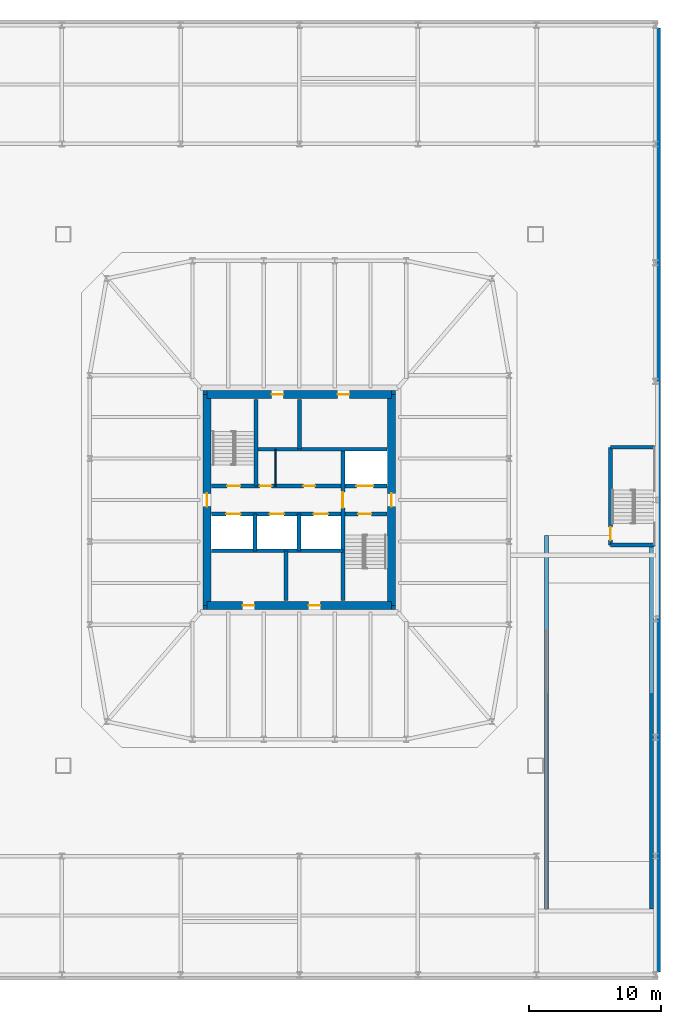
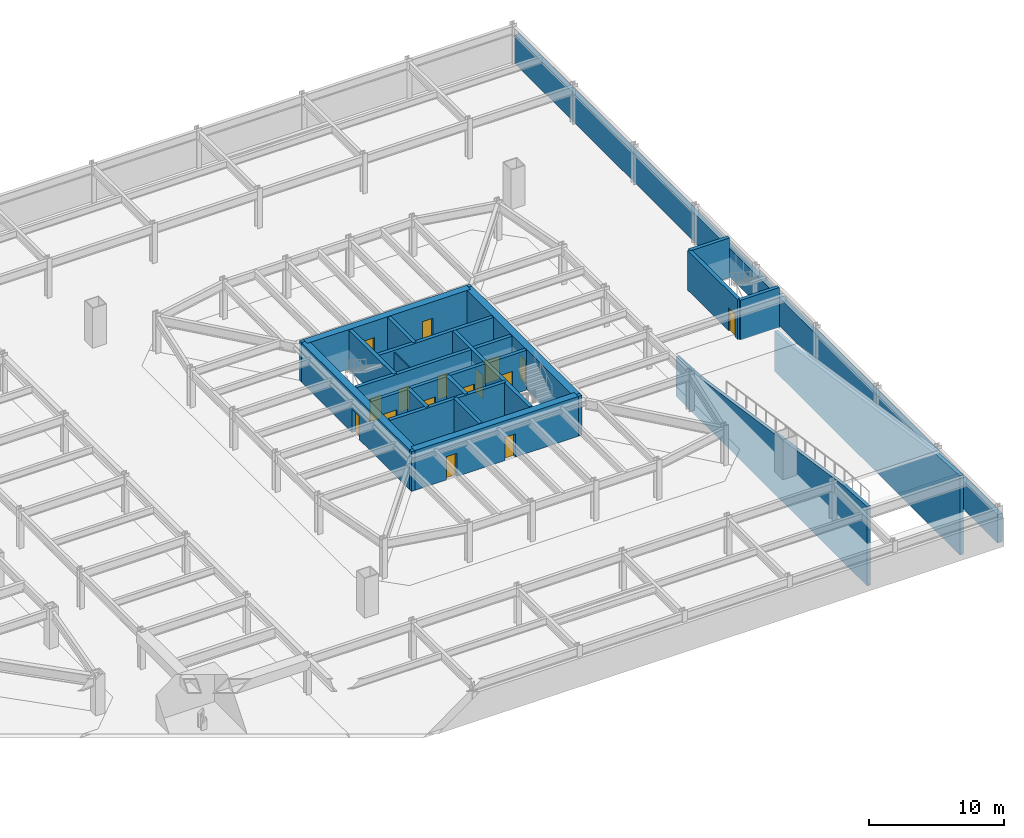
# One storey, part 13 of 17: 25 walls, 16 doors, 16 openings.
"""IFC4 building model written with IfcOpenShell, lengths in metres."""

from ifc_helpers import new_model, si_unit, direction, frame, frame_2d, origin, place, context, subcontext, project, spatial, polyline, rectangle, outline, extrude, material, layer, layer_set, type_object, element, fill, save


model = new_model("IFC4")

# Units and contexts
model_context = context("Model", 3, precision=1e-05, world=origin(), true_north=direction((0.0, 1.0)))
body_context = subcontext(model_context, "Body", "Model", "MODEL_VIEW")
ifc_project = project(units=[si_unit("LENGTHUNIT", "METRE"), si_unit("AREAUNIT", "SQUARE_METRE"), si_unit("VOLUMEUNIT", "CUBIC_METRE"), si_unit("PLANEANGLEUNIT", "RADIAN"), si_unit("MASSUNIT", "GRAM", prefix="KILO")], contexts=[model_context])

# Site, building, storey
site_placement = place(None, origin())
site = spatial("IfcSite", under=ifc_project, at=site_placement, CompositionType="ELEMENT")
building_placement = place(site_placement, origin())
building = spatial("IfcBuilding", under=site, at=building_placement, Name="Iwan Alto Co-Living Towers", CompositionType="ELEMENT")
storey_placement = place(building_placement, frame((0.0, 0.0, -3.60009765625)))
storey = spatial("IfcBuildingStorey", under=building, at=storey_placement, Name="B1", CompositionType="ELEMENT", Elevation=-3.60009765625)

# Walls
ifc_material_1 = material(Name="Concrete f'c 70 MPa", Category="concrete")
ifc_layer_1 = layer(ifc_material_1, 0.39990234375)
ifc_layer_set_1 = layer_set([ifc_layer_1], Name="BASEMENT RETAINING WALL 400")
wall_type_1 = type_object("IfcWallType", Name="BASEMENT RETAINING WALL 400", PredefinedType="SOLIDWALL", material=ifc_layer_set_1)
wall_1_placement = place(storey_placement, frame((90.199951171875, -35.800048828125, 0.0), z_axis=(0.0, 0.0, 1.0), x_axis=(0.0, 1.0, 0.0)))
element("IfcWall", 1, at=wall_1_placement, inside=storey, type_object=wall_type_1, Name="Basement retaining wall E B1", PredefinedType="SOLIDWALL", context=body_context, shape_type="SweptSolid", body=[
    extrude(rectangle(XDim=71.60009765625, YDim=0.39990234375, at=frame_2d((35.800048828125, 0.0))), origin(), (0.0, 0.0, 1.0), 2.58056640625),
])
ifc_material_2 = material(Name="Gypsum board")
ifc_layer_2 = layer(ifc_material_2, 0.012451171875, Name="Board", Category="Finish")
ifc_material_3 = material(Name="Steel ASTM A1003 ST33H cold-formed studs", Category="steel")
ifc_layer_3 = layer(ifc_material_3, 0.074951171875, Name="Studs", Category="Framing")
ifc_layer_4 = layer(ifc_material_2, 0.012451171875, Name="Board", Category="Finish")
ifc_layer_set_2 = layer_set([ifc_layer_2, ifc_layer_3, ifc_layer_4], Name="PARTITION 100")
wall_type_2 = type_object("IfcWallType", Name="PARTITION 100", PredefinedType="PARTITIONING", material=ifc_layer_set_2)
wall_2_placement = place(storey_placement, frame((61.199951171875, 1.050048828125, 0.0), z_axis=(0.0, 0.0, 1.0), x_axis=(0.0, 1.0, 0.0)))
element("IfcWall", 2, at=wall_2_placement, inside=storey, type_object=wall_type_2, Name="Partition B1", PredefinedType="PARTITIONING", context=body_context, shape_type="SweptSolid", body=[
    extrude(rectangle(XDim=2.800048828125, YDim=0.10009765625, at=frame_2d((1.39990234375, 0.0))), origin(), (0.0, 0.0, 1.0), 3.400146484375),
])
ifc_material_4 = material(Name="Concrete f'c 70 MPa", Category="concrete")
ifc_layer_5 = layer(ifc_material_4, 0.300048828125)
ifc_layer_set_3 = layer_set([ifc_layer_5], Name="RAMP SIDE WALL 300")
wall_type_3 = type_object("IfcWallType", Name="RAMP SIDE WALL 300", PredefinedType="SOLIDWALL", material=ifc_layer_set_3)
wall_3_placement = place(storey_placement, frame((81.75, -31.0, -3.849853515625), z_axis=(0.0, 0.0, 1.0), x_axis=(0.0, 1.0, 0.0)))
element("IfcWall", 3, at=wall_3_placement, inside=storey, type_object=wall_type_3, Name="Ramps R1 and R2 side wall", PredefinedType="SOLIDWALL", context=body_context, shape_type="SweptSolid", body=[
    extrude(outline(polyline([(0.0, 0.0), (28.320068359375, 0.0), (28.320068359375, 3.579833984375), (24.719970703125, 3.7958984375), (3.60009765625, 6.9638671875), (0.0, 7.179931640625), (0.0, 0.0)])), frame((0.0, 0.14990234375, 0.0), z_axis=(0.0, -1.0, 0.0), x_axis=(1.0, 0.0, 0.0)), (0.0, 0.0, 1.0), 0.300048828125),
])
wall_4_placement = place(storey_placement, frame((89.69677734375, -31.0, -3.849853515625), z_axis=(0.0, 0.0, 1.0), x_axis=(0.0, 1.0, 0.0)))
element("IfcWall", 4, at=wall_4_placement, inside=storey, type_object=wall_type_3, Name="Ramps R1 and R2 east side wall", PredefinedType="SOLIDWALL", context=body_context, shape_type="SweptSolid", body=[
    extrude(outline(polyline([(0.0, 0.0), (27.5, 0.0), (27.5, 3.629150390625), (24.719970703125, 3.7958984375), (3.60009765625, 6.9638671875), (0.0, 7.179931640625), (0.0, 0.0)])), frame((0.0, 0.14990234375, 0.0), z_axis=(0.0, -1.0, 0.0), x_axis=(1.0, 0.0, 0.0)), (0.0, 0.0, 1.0), 0.300048828125),
])
ifc_material_5 = material(Name="Concrete f'c 70 MPa", Category="concrete")
ifc_layer_6 = layer(ifc_material_5, 0.300048828125)
ifc_layer_set_4 = layer_set([ifc_layer_6], Name="SHAFT WALL 300")
wall_type_4 = type_object("IfcWallType", Name="SHAFT WALL 300", PredefinedType="SOLIDWALL", material=ifc_layer_set_4)
wall_5_placement = place(storey_placement, frame((56.360107421875, -3.85009765625, 0.0), z_axis=(0.0, 0.0, 1.0), x_axis=(1.0, 0.0, 0.0)))
element("IfcWall", 5, at=wall_5_placement, inside=storey, type_object=wall_type_4, Name="Shaft wall B1", PredefinedType="SOLIDWALL", context=body_context, shape_type="SweptSolid", body=[
    extrude(rectangle(XDim=9.93994140625, YDim=0.300048828125, at=frame_2d((4.969970703125, 0.0))), origin(), (0.0, 0.0, 1.0), 3.60009765625),
])
wall_6_placement = place(storey_placement, frame((86.60009765625, -3.39990234375, 0.0), z_axis=(0.0, 0.0, 1.0), x_axis=(1.0, 0.0, 0.0)))
element("IfcWall", 6, at=wall_6_placement, inside=storey, type_object=wall_type_4, Name="Shaft wall B1", PredefinedType="SOLIDWALL", context=body_context, shape_type="SweptSolid", body=[
    extrude(rectangle(XDim=3.33984375, YDim=0.300048828125, at=frame_2d((1.669921875, 0.0))), origin(), (0.0, 0.0, 1.0), 3.60009765625),
])

# Wall, openings, doors
wall_7_placement = place(storey_placement, frame((56.360107421875, -1.050048828125, 0.0), z_axis=(0.0, 0.0, 1.0), x_axis=(1.0, 0.0, 0.0)))
wall_7 = element("IfcWall", 7, at=wall_7_placement, inside=storey, type_object=wall_type_4, Name="Shaft wall B1", PredefinedType="SOLIDWALL", context=body_context, shape_type="SweptSolid", body=[
    extrude(rectangle(XDim=13.27978515625, YDim=0.300048828125, at=frame_2d((6.639892578125, 0.0))), origin(), (0.0, 0.0, 1.0), 3.60009765625),
])
opening_1_placement = place(wall_7_placement, frame((11.110107421875, 0.0, 0.0)))
opening_1 = element("IfcOpeningElement", 8, at=opening_1_placement, cuts=wall_7, Name="Opening D5", PredefinedType="OPENING", context=body_context, shape_type="SweptSolid", body=[
    extrude(rectangle(XDim=1.0, YDim=2.10009765625, at=frame_2d((0.5, 1.050048828125))), frame((0.0, 0.159912109375, 0.0), z_axis=(0.0, -1.0, 0.0), x_axis=(1.0, 0.0, 0.0)), (0.0, 0.0, 1.0), 0.320068359375),
])
opening_2_placement = place(wall_7_placement, frame((1.0869140625, 0.0, 0.0)))
opening_2 = element("IfcOpeningElement", 9, at=opening_2_placement, cuts=wall_7, Name="Opening LD", PredefinedType="OPENING", context=body_context, shape_type="SweptSolid", body=[
    extrude(rectangle(XDim=1.10009765625, YDim=2.10009765625, at=frame_2d((0.550048828125, 1.050048828125))), frame((0.0, 0.159912109375, 0.0), z_axis=(0.0, -1.0, 0.0), x_axis=(1.0, 0.0, 0.0)), (0.0, 0.0, 1.0), 0.320068359375),
])
opening_3_placement = place(wall_7_placement, frame((4.389892578125, 0.0, 0.0)))
opening_3 = element("IfcOpeningElement", 10, at=opening_3_placement, cuts=wall_7, Name="Opening LD", PredefinedType="OPENING", context=body_context, shape_type="SweptSolid", body=[
    extrude(rectangle(XDim=1.10009765625, YDim=2.10009765625, at=frame_2d((0.550048828125, 1.050048828125))), frame((0.0, 0.159912109375, 0.0), z_axis=(0.0, -1.0, 0.0), x_axis=(1.0, 0.0, 0.0)), (0.0, 0.0, 1.0), 0.320068359375),
])
opening_4_placement = place(wall_7_placement, frame((7.72412109375, 0.0, 0.0)))
opening_4 = element("IfcOpeningElement", 11, at=opening_4_placement, cuts=wall_7, Name="Opening LD", PredefinedType="OPENING", context=body_context, shape_type="SweptSolid", body=[
    extrude(rectangle(XDim=1.10009765625, YDim=2.10009765625, at=frame_2d((0.550048828125, 1.050048828125))), frame((0.0, 0.159912109375, 0.0), z_axis=(0.0, -1.0, 0.0), x_axis=(1.0, 0.0, 0.0)), (0.0, 0.0, 1.0), 0.320068359375),
])
ifc_material_6 = material(Name="Steel frame with timber leaf", Category="steel")
door_type_1 = type_object("IfcDoorType", Name="LIFT LANDING DOOR 1100X2100", OperationType="DOUBLE_DOOR_SLIDING", PredefinedType="DOOR", material=ifc_material_6)
door_1_placement = place(opening_2_placement, origin())
door_1 = element("IfcDoor", 12, at=door_1_placement, inside=storey, type_object=door_type_1, Name="Lift P5-1 landing door B1", OperationType="DOUBLE_DOOR_SLIDING", OverallHeight=2.10009765625, OverallWidth=1.10009765625, PredefinedType="DOOR", context=body_context, shape_type="SweptSolid", body=[
    extrude(rectangle(XDim=1.10009765625, YDim=2.10009765625, at=frame_2d((0.550048828125, 1.050048828125))), frame((0.0, 0.02490234375, 0.0), z_axis=(0.0, -1.0, 0.0), x_axis=(1.0, 0.0, 0.0)), (0.0, 0.0, 1.0), 0.050048828125),
])
fill(opening_2, door_1)
door_2_placement = place(opening_3_placement, origin())
door_2 = element("IfcDoor", 13, at=door_2_placement, inside=storey, type_object=door_type_1, Name="Lift P5-2 landing door B1", OperationType="DOUBLE_DOOR_SLIDING", OverallHeight=2.10009765625, OverallWidth=1.10009765625, PredefinedType="DOOR", context=body_context, shape_type="SweptSolid", body=[
    extrude(rectangle(XDim=1.10009765625, YDim=2.10009765625, at=frame_2d((0.550048828125, 1.050048828125))), frame((0.0, 0.02490234375, 0.0), z_axis=(0.0, -1.0, 0.0), x_axis=(1.0, 0.0, 0.0)), (0.0, 0.0, 1.0), 0.050048828125),
])
fill(opening_3, door_2)
door_3_placement = place(opening_4_placement, origin())
door_3 = element("IfcDoor", 14, at=door_3_placement, inside=storey, type_object=door_type_1, Name="Lift P6-3 landing door B1", OperationType="DOUBLE_DOOR_SLIDING", OverallHeight=2.10009765625, OverallWidth=1.10009765625, PredefinedType="DOOR", context=body_context, shape_type="SweptSolid", body=[
    extrude(rectangle(XDim=1.10009765625, YDim=2.10009765625, at=frame_2d((0.550048828125, 1.050048828125))), frame((0.0, 0.02490234375, 0.0), z_axis=(0.0, -1.0, 0.0), x_axis=(1.0, 0.0, 0.0)), (0.0, 0.0, 1.0), 0.050048828125),
])
fill(opening_4, door_3)
ifc_material_7 = material(Name="Steel frame with timber leaf", Category="steel")
door_type_2 = type_object("IfcDoorType", Name="STAIR DOOR FD120S 1000X2100", OperationType="SINGLE_SWING_LEFT", PredefinedType="DOOR", material=ifc_material_7)
door_4_placement = place(opening_1_placement, frame((1.0, 0.0, 0.0), z_axis=(0.0, 0.0, 1.0), x_axis=(-1.0, 0.0, 0.0)))
door_4 = element("IfcDoor", 15, at=door_4_placement, inside=storey, type_object=door_type_2, Name="Stair S2 door B1", OperationType="SINGLE_SWING_RIGHT", OverallHeight=2.10009765625, OverallWidth=1.0, PredefinedType="DOOR", context=body_context, shape_type="SweptSolid", body=[
    extrude(rectangle(XDim=1.0, YDim=2.10009765625, at=frame_2d((0.5, 1.050048828125))), frame((0.0, 0.02490234375, 0.0), z_axis=(0.0, -1.0, 0.0), x_axis=(1.0, 0.0, 0.0)), (0.0, 0.0, 1.0), 0.050048828125),
])
fill(opening_1, door_4)

wall_8_placement = place(storey_placement, frame((56.360107421875, 1.050048828125, 0.0), z_axis=(0.0, 0.0, 1.0), x_axis=(1.0, 0.0, 0.0)))
wall_8 = element("IfcWall", 16, at=wall_8_placement, inside=storey, type_object=wall_type_4, Name="Shaft wall B1", PredefinedType="SOLIDWALL", context=body_context, shape_type="SweptSolid", body=[
    extrude(rectangle(XDim=13.27978515625, YDim=0.300048828125, at=frame_2d((6.639892578125, 0.0))), origin(), (0.0, 0.0, 1.0), 3.60009765625),
])
opening_5_placement = place(wall_8_placement, frame((1.169921875, 0.0, 0.0)))
opening_5 = element("IfcOpeningElement", 17, at=opening_5_placement, cuts=wall_8, Name="Opening D5", PredefinedType="OPENING", context=body_context, shape_type="SweptSolid", body=[
    extrude(rectangle(XDim=1.0, YDim=2.10009765625, at=frame_2d((0.5, 1.050048828125))), frame((0.0, 0.159912109375, 0.0), z_axis=(0.0, -1.0, 0.0), x_axis=(1.0, 0.0, 0.0)), (0.0, 0.0, 1.0), 0.320068359375),
])
opening_6_placement = place(wall_8_placement, frame((6.93994140625, 0.0, 0.0)))
opening_6 = element("IfcOpeningElement", 18, at=opening_6_placement, cuts=wall_8, Name="Opening D8", PredefinedType="OPENING", context=body_context, shape_type="SweptSolid", body=[
    extrude(rectangle(XDim=0.89990234375, YDim=2.10009765625, at=frame_2d((0.449951171875, 1.050048828125))), frame((0.0, 0.159912109375, 0.0), z_axis=(0.0, -1.0, 0.0), x_axis=(1.0, 0.0, 0.0)), (0.0, 0.0, 1.0), 0.320068359375),
])
opening_7_placement = place(wall_8_placement, frame((3.639892578125, 0.0, 0.0)))
opening_7 = element("IfcOpeningElement", 19, at=opening_7_placement, cuts=wall_8, Name="Opening D15", PredefinedType="OPENING", context=body_context, shape_type="SweptSolid", body=[
    extrude(rectangle(XDim=0.89990234375, YDim=2.10009765625, at=frame_2d((0.449951171875, 1.050048828125))), frame((0.0, 0.159912109375, 0.0), z_axis=(0.0, -1.0, 0.0), x_axis=(1.0, 0.0, 0.0)), (0.0, 0.0, 1.0), 0.320068359375),
])
opening_8_placement = place(wall_8_placement, frame((10.9599609375, 0.0, 0.0)))
opening_8 = element("IfcOpeningElement", 20, at=opening_8_placement, cuts=wall_8, Name="Opening LD2", PredefinedType="OPENING", context=body_context, shape_type="SweptSolid", body=[
    extrude(rectangle(XDim=1.300048828125, YDim=2.10009765625, at=frame_2d((0.64990234375, 1.050048828125))), frame((0.0, 0.159912109375, 0.0), z_axis=(0.0, -1.0, 0.0), x_axis=(1.0, 0.0, 0.0)), (0.0, 0.0, 1.0), 0.320068359375),
])
ifc_material_8 = material(Name="Steel frame with timber leaf", Category="steel")
door_type_3 = type_object("IfcDoorType", Name="CORE ROOM DOOR FD60S 900X2100", OperationType="SINGLE_SWING_LEFT", PredefinedType="DOOR", material=ifc_material_8)
door_5_placement = place(opening_7_placement, origin())
door_5 = element("IfcDoor", 21, at=door_5_placement, inside=storey, type_object=door_type_3, Name="Car park sprinkler valve room door B1", OperationType="SINGLE_SWING_LEFT", OverallHeight=2.10009765625, OverallWidth=0.89990234375, PredefinedType="DOOR", context=body_context, shape_type="SweptSolid", body=[
    extrude(rectangle(XDim=0.89990234375, YDim=2.10009765625, at=frame_2d((0.449951171875, 1.050048828125))), frame((0.0, 0.02490234375, 0.0), z_axis=(0.0, -1.0, 0.0), x_axis=(1.0, 0.0, 0.0)), (0.0, 0.0, 1.0), 0.050048828125),
])
fill(opening_7, door_5)
ifc_material_9 = material(Name="Steel frame with timber leaf", Category="steel")
door_type_4 = type_object("IfcDoorType", Name="LIFT LANDING DOOR 1300X2100", OperationType="SLIDING_TO_LEFT", PredefinedType="DOOR", material=ifc_material_9)
door_6_placement = place(opening_8_placement, origin())
door_6 = element("IfcDoor", 22, at=door_6_placement, inside=storey, type_object=door_type_4, Name="Lift FL2 landing door B1", OperationType="SLIDING_TO_LEFT", OverallHeight=2.10009765625, OverallWidth=1.300048828125, PredefinedType="DOOR", context=body_context, shape_type="SweptSolid", body=[
    extrude(rectangle(XDim=1.300048828125, YDim=2.10009765625, at=frame_2d((0.64990234375, 1.050048828125))), frame((0.0, 0.02490234375, 0.0), z_axis=(0.0, -1.0, 0.0), x_axis=(1.0, 0.0, 0.0)), (0.0, 0.0, 1.0), 0.050048828125),
])
fill(opening_8, door_6)
ifc_material_10 = material(Name="Steel frame with timber leaf", Category="steel")
door_type_5 = type_object("IfcDoorType", Name="RISER DOOR FD120 900X2100", OperationType="SINGLE_SWING_LEFT", PredefinedType="DOOR", material=ifc_material_10)
door_7_placement = place(opening_6_placement, origin())
door_7 = element("IfcDoor", 23, at=door_7_placement, inside=storey, type_object=door_type_5, Name="Riser room door B1", OperationType="SINGLE_SWING_LEFT", OverallHeight=2.10009765625, OverallWidth=0.89990234375, PredefinedType="DOOR", context=body_context, shape_type="SweptSolid", body=[
    extrude(rectangle(XDim=0.89990234375, YDim=2.10009765625, at=frame_2d((0.449951171875, 1.050048828125))), frame((0.0, 0.02490234375, 0.0), z_axis=(0.0, -1.0, 0.0), x_axis=(1.0, 0.0, 0.0)), (0.0, 0.0, 1.0), 0.050048828125),
])
fill(opening_6, door_7)
door_8_placement = place(opening_5_placement, origin())
door_8 = element("IfcDoor", 24, at=door_8_placement, inside=storey, type_object=door_type_2, Name="Stair S1 door B1", OperationType="SINGLE_SWING_RIGHT", OverallHeight=2.10009765625, OverallWidth=1.0, PredefinedType="DOOR", context=body_context, shape_type="SweptSolid", body=[
    extrude(rectangle(XDim=1.0, YDim=2.10009765625, at=frame_2d((0.5, 1.050048828125))), frame((0.0, 0.02490234375, 0.0), z_axis=(0.0, -1.0, 0.0), x_axis=(1.0, 0.0, 0.0)), (0.0, 0.0, 1.0), 0.050048828125),
])
fill(opening_5, door_8)

# Walls
wall_9_placement = place(storey_placement, frame((59.699951171875, 3.85009765625, 0.0), z_axis=(0.0, 0.0, 1.0), x_axis=(1.0, 0.0, 0.0)))
element("IfcWall", 25, at=wall_9_placement, inside=storey, type_object=wall_type_4, Name="Shaft wall B1", PredefinedType="SOLIDWALL", context=body_context, shape_type="SweptSolid", body=[
    extrude(rectangle(XDim=9.93994140625, YDim=0.300048828125, at=frame_2d((4.969970703125, 0.0))), origin(), (0.0, 0.0, 1.0), 3.60009765625),
])
wall_10_placement = place(storey_placement, frame((86.60009765625, 4.0, 0.0), z_axis=(0.0, 0.0, 1.0), x_axis=(1.0, 0.0, 0.0)))
element("IfcWall", 26, at=wall_10_placement, inside=storey, type_object=wall_type_4, Name="Shaft wall B1", PredefinedType="SOLIDWALL", context=body_context, shape_type="SweptSolid", body=[
    extrude(rectangle(XDim=3.33984375, YDim=0.300048828125, at=frame_2d((1.669921875, 0.0))), origin(), (0.0, 0.0, 1.0), 3.60009765625),
])

# Wall, opening, door
wall_11_placement = place(storey_placement, frame((86.60009765625, -3.39990234375, 0.0), z_axis=(0.0, 0.0, 1.0), x_axis=(0.0, 1.0, 0.0)))
wall_11 = element("IfcWall", 27, at=wall_11_placement, inside=storey, type_object=wall_type_4, Name="Shaft wall B1", PredefinedType="SOLIDWALL", context=body_context, shape_type="SweptSolid", body=[
    extrude(rectangle(XDim=7.39990234375, YDim=0.300048828125, at=frame_2d((3.699951171875, 0.0))), origin(), (0.0, 0.0, 1.0), 3.60009765625),
])
opening_9_placement = place(wall_11_placement, frame((0.35009765625, 0.0, 0.0)))
opening_9 = element("IfcOpeningElement", 28, at=opening_9_placement, cuts=wall_11, Name="Opening D5", PredefinedType="OPENING", context=body_context, shape_type="SweptSolid", body=[
    extrude(rectangle(XDim=1.0, YDim=2.10009765625, at=frame_2d((0.5, 1.050048828125))), frame((0.0, 0.159912109375, 0.0), z_axis=(0.0, -1.0, 0.0), x_axis=(1.0, 0.0, 0.0)), (0.0, 0.0, 1.0), 0.320068359375),
])
door_9_placement = place(opening_9_placement, frame((1.0, 0.0, 0.0), z_axis=(0.0, 0.0, 1.0), x_axis=(-1.0, 0.0, 0.0)))
door_9 = element("IfcDoor", 29, at=door_9_placement, inside=storey, type_object=door_type_2, Name="Stair PS2 door B1", OperationType="SINGLE_SWING_RIGHT", OverallHeight=2.10009765625, OverallWidth=1.0, PredefinedType="DOOR", context=body_context, shape_type="SweptSolid", body=[
    extrude(rectangle(XDim=1.0, YDim=2.10009765625, at=frame_2d((0.5, 1.050048828125))), frame((0.0, 0.02490234375, 0.0), z_axis=(0.0, -1.0, 0.0), x_axis=(1.0, 0.0, 0.0)), (0.0, 0.0, 1.0), 0.050048828125),
])
fill(opening_9, door_9)

wall_12_placement = place(storey_placement, frame((66.300048828125, -7.639892578125, 0.0), z_axis=(0.0, 0.0, 1.0), x_axis=(0.0, 1.0, 0.0)))
wall_12 = element("IfcWall", 30, at=wall_12_placement, inside=storey, type_object=wall_type_4, Name="Shaft wall B1", PredefinedType="SOLIDWALL", context=body_context, shape_type="SweptSolid", body=[
    extrude(rectangle(XDim=11.489990234375, YDim=0.300048828125, at=frame_2d((5.7451171875, 0.0))), origin(), (0.0, 0.0, 1.0), 3.60009765625),
])
opening_10_placement = place(wall_12_placement, frame((7.0400390625, 0.0, 0.0)))
opening_10 = element("IfcOpeningElement", 31, at=opening_10_placement, cuts=wall_12, Name="Opening D6", PredefinedType="OPENING", context=body_context, shape_type="SweptSolid", body=[
    extrude(rectangle(XDim=1.199951171875, YDim=2.10009765625, at=frame_2d((0.60009765625, 1.050048828125))), frame((0.0, 0.159912109375, 0.0), z_axis=(0.0, -1.0, 0.0), x_axis=(1.0, 0.0, 0.0)), (0.0, 0.0, 1.0), 0.320068359375),
])
ifc_material_11 = material(Name="Steel frame with timber leaf", Category="steel")
door_type_6 = type_object("IfcDoorType", Name="LOBBY DOOR FD120S 1200X2100", OperationType="SINGLE_SWING_LEFT", PredefinedType="DOOR", material=ifc_material_11)
door_10_placement = place(opening_10_placement, frame((1.199951171875, 0.0, 0.0), z_axis=(0.0, 0.0, 1.0), x_axis=(-1.0, 0.0, 0.0)))
door_10 = element("IfcDoor", 32, at=door_10_placement, inside=storey, type_object=door_type_6, Name="Firefighting lobby door B1", OperationType="SINGLE_SWING_RIGHT", OverallHeight=2.10009765625, OverallWidth=1.199951171875, PredefinedType="DOOR", context=body_context, shape_type="SweptSolid", body=[
    extrude(rectangle(XDim=1.199951171875, YDim=2.10009765625, at=frame_2d((0.60009765625, 1.050048828125))), frame((0.0, 0.02490234375, 0.0), z_axis=(0.0, -1.0, 0.0), x_axis=(1.0, 0.0, 0.0)), (0.0, 0.0, 1.0), 0.050048828125),
])
fill(opening_10, door_10)

# Walls
wall_13_placement = place(storey_placement, frame((63.0, 3.85009765625, 0.0), z_axis=(0.0, 0.0, 1.0), x_axis=(0.0, 1.0, 0.0)))
element("IfcWall", 33, at=wall_13_placement, inside=storey, type_object=wall_type_4, Name="Shaft wall B1", PredefinedType="SOLIDWALL", context=body_context, shape_type="SweptSolid", body=[
    extrude(rectangle(XDim=3.789794921875, YDim=0.300048828125, at=frame_2d((1.89501953125, 0.0))), origin(), (0.0, 0.0, 1.0), 3.60009765625),
])
wall_14_placement = place(storey_placement, frame((62.967041015625, -3.85009765625, 0.0), z_axis=(0.0, 0.0, 1.0), x_axis=(0.0, 1.0, 0.0)))
element("IfcWall", 34, at=wall_14_placement, inside=storey, type_object=wall_type_4, Name="Shaft wall B1", PredefinedType="SOLIDWALL", context=body_context, shape_type="SweptSolid", body=[
    extrude(rectangle(XDim=2.800048828125, YDim=0.300048828125, at=frame_2d((1.39990234375, 0.0))), origin(), (0.0, 0.0, 1.0), 3.60009765625),
])
wall_15_placement = place(storey_placement, frame((62.0, -7.639892578125, 0.0), z_axis=(0.0, 0.0, 1.0), x_axis=(0.0, 1.0, 0.0)))
element("IfcWall", 35, at=wall_15_placement, inside=storey, type_object=wall_type_4, Name="Shaft wall B1", PredefinedType="SOLIDWALL", context=body_context, shape_type="SweptSolid", body=[
    extrude(rectangle(XDim=3.789794921875, YDim=0.300048828125, at=frame_2d((1.89501953125, 0.0))), origin(), (0.0, 0.0, 1.0), 3.60009765625),
])
wall_16_placement = place(storey_placement, frame((59.699951171875, 1.050048828125, 0.0), z_axis=(0.0, 0.0, 1.0), x_axis=(0.0, 1.0, 0.0)))
element("IfcWall", 36, at=wall_16_placement, inside=storey, type_object=wall_type_4, Name="Shaft wall B1", PredefinedType="SOLIDWALL", context=body_context, shape_type="SweptSolid", body=[
    extrude(rectangle(XDim=6.58984375, YDim=0.300048828125, at=frame_2d((3.294921875, 0.0))), origin(), (0.0, 0.0, 1.0), 3.60009765625),
])
wall_17_placement = place(storey_placement, frame((59.633056640625, -3.85009765625, 0.0), z_axis=(0.0, 0.0, 1.0), x_axis=(0.0, 1.0, 0.0)))
element("IfcWall", 37, at=wall_17_placement, inside=storey, type_object=wall_type_4, Name="Shaft wall B1", PredefinedType="SOLIDWALL", context=body_context, shape_type="SweptSolid", body=[
    extrude(rectangle(XDim=2.800048828125, YDim=0.300048828125, at=frame_2d((1.39990234375, 0.0))), origin(), (0.0, 0.0, 1.0), 3.60009765625),
])
ifc_material_12 = material(Name="Concrete f'c 70 MPa", Category="concrete")
ifc_layer_7 = layer(ifc_material_12, 0.300048828125)
ifc_layer_set_5 = layer_set([ifc_layer_7], Name="T2 CORE CORNER FILL 300")
wall_type_5 = type_object("IfcWallType", Name="T2 CORE CORNER FILL 300", PredefinedType="SOLIDWALL", material=ifc_layer_set_5)
for number, where, z_axis, x_axis, name in (
    (38, (55.699951171875, -8.14990234375, 0.0), (0.0, 0.0, 1.0), (1.0, 0.0, 0.0), "T2 core corner SW B1"),
    (39, (70.0, -8.14990234375, 0.0), (0.0, 0.0, 1.0), (1.0, 0.0, 0.0), "T2 core corner SE B1"),
    (40, (70.0, 8.14990234375, 0.0), (0.0, 0.0, 1.0), (1.0, 0.0, 0.0), "T2 core corner NE B1"),
    (41, (55.699951171875, 8.14990234375, 0.0), (0.0, 0.0, 1.0), (1.0, 0.0, 0.0), "T2 core corner NW B1"),
):
    element("IfcWall", number, at=place(storey_placement, frame(where, z_axis=z_axis, x_axis=x_axis)), inside=storey, type_object=wall_type_5, Name=name, PredefinedType="SOLIDWALL", context=body_context, shape_type="SweptSolid", body=[
        extrude(rectangle(XDim=0.300048828125, YDim=0.300048828125, at=frame_2d((0.14990234375, 0.0))), origin(), (0.0, 0.0, 1.0), 3.60009765625),
    ])

# Wall, openings, doors
ifc_material_13 = material(Name="Concrete f'c 70 MPa", Category="concrete")
ifc_layer_8 = layer(ifc_material_13, 0.60009765625)
ifc_layer_set_6 = layer_set([ifc_layer_8], Name="T2 CORE WALL 600")
wall_type_6 = type_object("IfcWallType", Name="T2 CORE WALL 600", PredefinedType="SHEAR", material=ifc_layer_set_6)
wall_18_placement = place(storey_placement, frame((56.0, -8.0, 0.0), z_axis=(0.0, 0.0, 1.0), x_axis=(1.0, 0.0, 0.0)))
wall_18 = element("IfcWall", 42, at=wall_18_placement, inside=storey, type_object=wall_type_6, Name="T2 core wall S B1", PredefinedType="SHEAR", context=body_context, shape_type="SweptSolid", body=[
    extrude(rectangle(XDim=14.0, YDim=0.60009765625, at=frame_2d((7.0, 0.0))), origin(), (0.0, 0.0, 1.0), 3.60009765625),
])
opening_11_placement = place(wall_18_placement, frame((2.699951171875, 0.0, 0.0)))
opening_11 = element("IfcOpeningElement", 43, at=opening_11_placement, cuts=wall_18, Name="Opening D8", PredefinedType="OPENING", context=body_context, shape_type="SweptSolid", body=[
    extrude(rectangle(XDim=0.89990234375, YDim=2.10009765625, at=frame_2d((0.449951171875, 1.050048828125))), frame((0.0, 0.31005859375, 0.0), z_axis=(0.0, -1.0, 0.0), x_axis=(1.0, 0.0, 0.0)), (0.0, 0.0, 1.0), 0.6201171875),
])
opening_12_placement = place(wall_18_placement, frame((7.699951171875, 0.0, 0.0)))
opening_12 = element("IfcOpeningElement", 44, at=opening_12_placement, cuts=wall_18, Name="Opening D8", PredefinedType="OPENING", context=body_context, shape_type="SweptSolid", body=[
    extrude(rectangle(XDim=0.89990234375, YDim=2.10009765625, at=frame_2d((0.449951171875, 1.050048828125))), frame((0.0, 0.31005859375, 0.0), z_axis=(0.0, -1.0, 0.0), x_axis=(1.0, 0.0, 0.0)), (0.0, 0.0, 1.0), 0.6201171875),
])
door_11_placement = place(opening_11_placement, origin())
door_11 = element("IfcDoor", 45, at=door_11_placement, inside=storey, type_object=door_type_5, Name="Refuse room core door B1", OperationType="SINGLE_SWING_LEFT", OverallHeight=2.10009765625, OverallWidth=0.89990234375, PredefinedType="DOOR", context=body_context, shape_type="SweptSolid", body=[
    extrude(rectangle(XDim=0.89990234375, YDim=2.10009765625, at=frame_2d((0.449951171875, 1.050048828125))), frame((0.0, 0.02490234375, 0.0), z_axis=(0.0, -1.0, 0.0), x_axis=(1.0, 0.0, 0.0)), (0.0, 0.0, 1.0), 0.050048828125),
])
fill(opening_11, door_11)
door_12_placement = place(opening_12_placement, origin())
door_12 = element("IfcDoor", 46, at=door_12_placement, inside=storey, type_object=door_type_5, Name="Telecom riser core door B1", OperationType="SINGLE_SWING_LEFT", OverallHeight=2.10009765625, OverallWidth=0.89990234375, PredefinedType="DOOR", context=body_context, shape_type="SweptSolid", body=[
    extrude(rectangle(XDim=0.89990234375, YDim=2.10009765625, at=frame_2d((0.449951171875, 1.050048828125))), frame((0.0, 0.02490234375, 0.0), z_axis=(0.0, -1.0, 0.0), x_axis=(1.0, 0.0, 0.0)), (0.0, 0.0, 1.0), 0.050048828125),
])
fill(opening_12, door_12)

wall_19_placement = place(storey_placement, frame((70.0, 8.0, 0.0), z_axis=(0.0, 0.0, 1.0), x_axis=(-1.0, 0.0, 0.0)))
wall_19 = element("IfcWall", 47, at=wall_19_placement, inside=storey, type_object=wall_type_6, Name="T2 core wall N B1", PredefinedType="SHEAR", context=body_context, shape_type="SweptSolid", body=[
    extrude(rectangle(XDim=14.0, YDim=0.60009765625, at=frame_2d((7.0, 0.0))), origin(), (0.0, 0.0, 1.0), 3.60009765625),
])
opening_13_placement = place(wall_19_placement, frame((8.199951171875, 0.0, 0.0)))
opening_13 = element("IfcOpeningElement", 48, at=opening_13_placement, cuts=wall_19, Name="Opening D8", PredefinedType="OPENING", context=body_context, shape_type="SweptSolid", body=[
    extrude(rectangle(XDim=0.89990234375, YDim=2.10009765625, at=frame_2d((0.449951171875, 1.050048828125))), frame((0.0, 0.31005859375, 0.0), z_axis=(0.0, -1.0, 0.0), x_axis=(1.0, 0.0, 0.0)), (0.0, 0.0, 1.0), 0.6201171875),
])
opening_14_placement = place(wall_19_placement, frame((3.199951171875, 0.0, 0.0)))
opening_14 = element("IfcOpeningElement", 49, at=opening_14_placement, cuts=wall_19, Name="Opening D8", PredefinedType="OPENING", context=body_context, shape_type="SweptSolid", body=[
    extrude(rectangle(XDim=0.89990234375, YDim=2.10009765625, at=frame_2d((0.449951171875, 1.050048828125))), frame((0.0, 0.31005859375, 0.0), z_axis=(0.0, -1.0, 0.0), x_axis=(1.0, 0.0, 0.0)), (0.0, 0.0, 1.0), 0.6201171875),
])
door_13_placement = place(opening_13_placement, origin())
door_13 = element("IfcDoor", 50, at=door_13_placement, inside=storey, type_object=door_type_5, Name="Electrical riser core door B1", OperationType="SINGLE_SWING_RIGHT", OverallHeight=2.10009765625, OverallWidth=0.89990234375, PredefinedType="DOOR", context=body_context, shape_type="SweptSolid", body=[
    extrude(rectangle(XDim=0.89990234375, YDim=2.10009765625, at=frame_2d((0.449951171875, 1.050048828125))), frame((0.0, 0.02490234375, 0.0), z_axis=(0.0, -1.0, 0.0), x_axis=(1.0, 0.0, 0.0)), (0.0, 0.0, 1.0), 0.050048828125),
])
fill(opening_13, door_13)
door_14_placement = place(opening_14_placement, origin())
door_14 = element("IfcDoor", 51, at=door_14_placement, inside=storey, type_object=door_type_5, Name="Water and drainage riser core door B1", OperationType="SINGLE_SWING_RIGHT", OverallHeight=2.10009765625, OverallWidth=0.89990234375, PredefinedType="DOOR", context=body_context, shape_type="SweptSolid", body=[
    extrude(rectangle(XDim=0.89990234375, YDim=2.10009765625, at=frame_2d((0.449951171875, 1.050048828125))), frame((0.0, 0.02490234375, 0.0), z_axis=(0.0, -1.0, 0.0), x_axis=(1.0, 0.0, 0.0)), (0.0, 0.0, 1.0), 0.050048828125),
])
fill(opening_14, door_14)

# Wall, opening, door
wall_20_placement = place(storey_placement, frame((70.0, -8.0, 0.0), z_axis=(0.0, 0.0, 1.0), x_axis=(0.0, 1.0, 0.0)))
wall_20 = element("IfcWall", 52, at=wall_20_placement, inside=storey, type_object=wall_type_6, Name="T2 core wall E B1", PredefinedType="SHEAR", context=body_context, shape_type="SweptSolid", body=[
    extrude(rectangle(XDim=16.0, YDim=0.60009765625, at=frame_2d((8.0, 0.0))), origin(), (0.0, 0.0, 1.0), 3.60009765625),
])
opening_15_placement = place(wall_20_placement, frame((7.5, 0.0, 0.0)))
opening_15 = element("IfcOpeningElement", 53, at=opening_15_placement, cuts=wall_20, Name="Opening D7", PredefinedType="OPENING", context=body_context, shape_type="SweptSolid", body=[
    extrude(rectangle(XDim=1.0, YDim=2.10009765625, at=frame_2d((0.5, 1.050048828125))), frame((0.0, 0.31005859375, 0.0), z_axis=(0.0, -1.0, 0.0), x_axis=(1.0, 0.0, 0.0)), (0.0, 0.0, 1.0), 0.6201171875),
])
ifc_material_14 = material(Name="Steel frame with timber leaf", Category="steel")
door_type_7 = type_object("IfcDoorType", Name="CORE DOOR FD120S 1000X2100", OperationType="SINGLE_SWING_LEFT", PredefinedType="DOOR", material=ifc_material_14)
door_15_placement = place(opening_15_placement, origin())
door_15 = element("IfcDoor", 54, at=door_15_placement, inside=storey, type_object=door_type_7, Name="Firefighting lobby core door B1", OperationType="SINGLE_SWING_LEFT", OverallHeight=2.10009765625, OverallWidth=1.0, PredefinedType="DOOR", context=body_context, shape_type="SweptSolid", body=[
    extrude(rectangle(XDim=1.0, YDim=2.10009765625, at=frame_2d((0.5, 1.050048828125))), frame((0.0, 0.02490234375, 0.0), z_axis=(0.0, -1.0, 0.0), x_axis=(1.0, 0.0, 0.0)), (0.0, 0.0, 1.0), 0.050048828125),
])
fill(opening_15, door_15)

wall_21_placement = place(storey_placement, frame((56.0, 8.0, 0.0), z_axis=(0.0, 0.0, 1.0), x_axis=(0.0, -1.0, 0.0)))
wall_21 = element("IfcWall", 55, at=wall_21_placement, inside=storey, type_object=wall_type_6, Name="T2 core wall W B1", PredefinedType="SHEAR", context=body_context, shape_type="SweptSolid", body=[
    extrude(rectangle(XDim=16.0, YDim=0.60009765625, at=frame_2d((8.0, 0.0))), origin(), (0.0, 0.0, 1.0), 3.60009765625),
])
opening_16_placement = place(wall_21_placement, frame((7.5, 0.0, 0.0)))
opening_16 = element("IfcOpeningElement", 56, at=opening_16_placement, cuts=wall_21, Name="Opening D7", PredefinedType="OPENING", context=body_context, shape_type="SweptSolid", body=[
    extrude(rectangle(XDim=1.0, YDim=2.10009765625, at=frame_2d((0.5, 1.050048828125))), frame((0.0, 0.31005859375, 0.0), z_axis=(0.0, -1.0, 0.0), x_axis=(1.0, 0.0, 0.0)), (0.0, 0.0, 1.0), 0.6201171875),
])
door_16_placement = place(opening_16_placement, origin())
door_16 = element("IfcDoor", 57, at=door_16_placement, inside=storey, type_object=door_type_7, Name="Lift lobby core door B1", OperationType="SINGLE_SWING_RIGHT", OverallHeight=2.10009765625, OverallWidth=1.0, PredefinedType="DOOR", context=body_context, shape_type="SweptSolid", body=[
    extrude(rectangle(XDim=1.0, YDim=2.10009765625, at=frame_2d((0.5, 1.050048828125))), frame((0.0, 0.02490234375, 0.0), z_axis=(0.0, -1.0, 0.0), x_axis=(1.0, 0.0, 0.0)), (0.0, 0.0, 1.0), 0.050048828125),
])
fill(opening_16, door_16)

save(model, "model.ifc")
